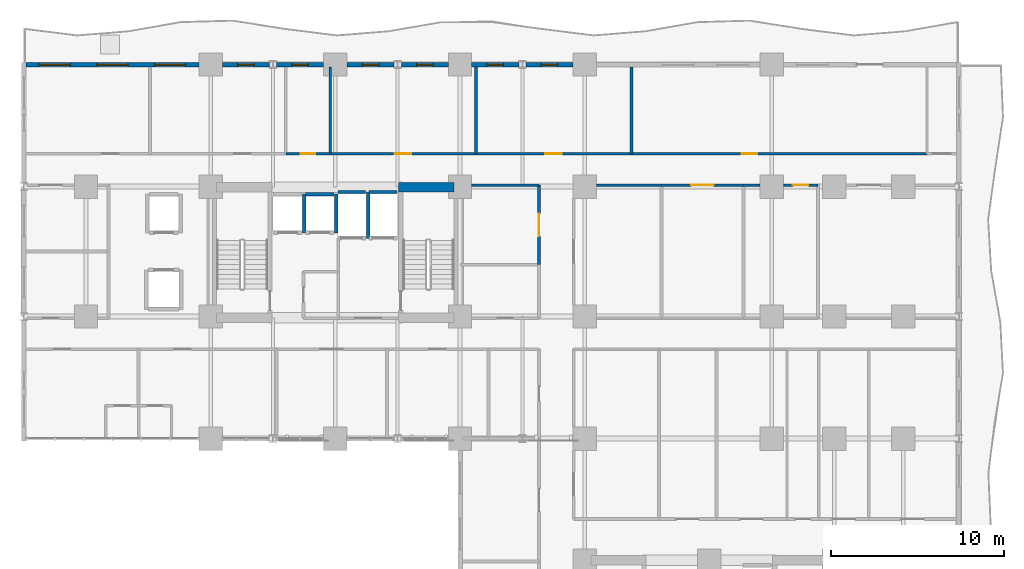
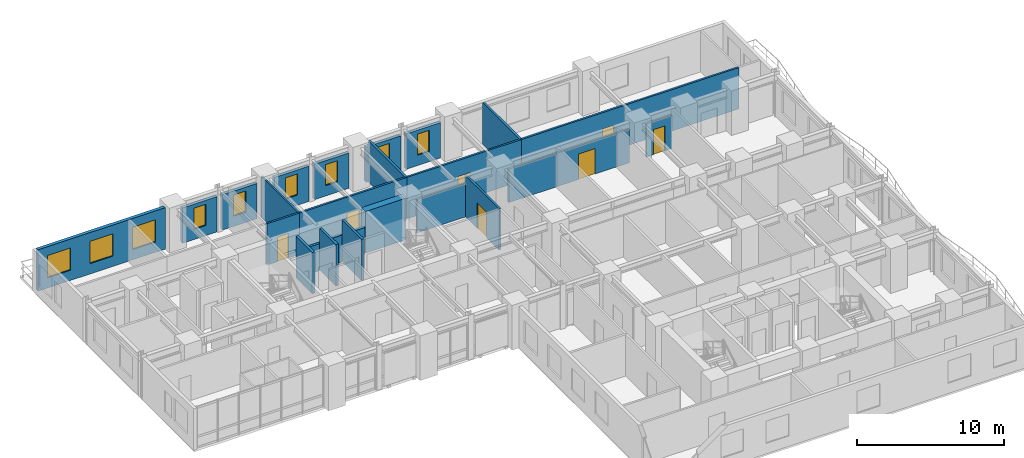
# One storey, part 12 of 16: 27 walls, 9 windows, 7 doors, 16 openings.
"""IFC4 building model written with IfcOpenShell, lengths in metres."""

from ifc_helpers import new_model, si_unit, direction, frame, frame_2d, origin, place, context, subcontext, project, spatial, rectangle, extrude, material, layer, layer_set, type_object, element, fill, save


model = new_model("IFC4")

# Units and contexts
model_context = context("Model", 3, precision=1e-05, world=origin(), true_north=direction((0.0, 1.0)))
body_context = subcontext(model_context, "Body", "Model", "MODEL_VIEW")
ifc_project = project(units=[si_unit("LENGTHUNIT", "METRE"), si_unit("AREAUNIT", "SQUARE_METRE"), si_unit("VOLUMEUNIT", "CUBIC_METRE"), si_unit("PLANEANGLEUNIT", "RADIAN"), si_unit("MASSUNIT", "GRAM", prefix="KILO")], contexts=[model_context])

# Site, building, storey
site_placement = place(None, origin())
site = spatial("IfcSite", under=ifc_project, at=site_placement, CompositionType="ELEMENT")
building_placement = place(site_placement, origin())
building = spatial("IfcBuilding", under=site, at=building_placement, Name="Kaliganga Portal Commons", CompositionType="ELEMENT")
storey_placement = place(building_placement, frame((0.0, 0.0, 29.0)))
storey = spatial("IfcBuildingStorey", under=building, at=storey_placement, Name="L06", CompositionType="ELEMENT", Elevation=29.0)

# Wall
ifc_material_1 = material(Name="Concrete C60/75", Category="concrete")
ifc_layer_1 = layer(ifc_material_1, 0.550048828125)
ifc_layer_set_1 = layer_set([ifc_layer_1], Name="Concrete C60/75")
wall_type_1 = type_object("IfcWallType", Name="WL-CORE-550", PredefinedType="SHEAR", material=ifc_layer_set_1)
wall_1_placement = place(storey_placement, frame((25.25, 36.125, 0.0), z_axis=(0.0, 0.0, 1.0), x_axis=(1.0, 0.0, 0.0)))
element("IfcWall", 1, at=wall_1_placement, inside=storey, type_object=wall_type_1, Name="Core A N-East Shear Wall L06", PredefinedType="SHEAR", context=body_context, shape_type="SweptSolid", body=[
    extrude(rectangle(XDim=3.199951171875, YDim=0.550048828125, at=frame_2d((1.60009765625, 0.0))), origin(), (0.0, 0.0, 1.0), 3.449951171875),
])

# Wall, opening, window
ifc_material_2 = material(Name="Insulated Aluminium-Clad Spandrel Assembly", Category="aluminium")
ifc_layer_2 = layer(ifc_material_2, 0.260009765625)
ifc_layer_set_2 = layer_set([ifc_layer_2], Name="Insulated Aluminium-Clad Spandrel Assembly")
wall_type_2 = type_object("IfcWallType", Name="WL-EXT-SPAND-260", PredefinedType="STANDARD", material=ifc_layer_set_2)
wall_2_placement = place(storey_placement, frame((32.60888671875, 43.199951171875, 0.0), z_axis=(0.0, 0.0, 1.0), x_axis=(1.0, 0.0, 0.0)))
wall_2 = element("IfcWall", 2, at=wall_2_placement, inside=storey, type_object=wall_type_2, Name="Exterior Envelope Wall L06 P1-E02-S3", PredefinedType="STANDARD", context=body_context, shape_type="SweptSolid", body=[
    extrude(rectangle(XDim=2.715087890625, YDim=0.260009765625, at=frame_2d((1.357421875, 0.0))), origin(), (0.0, 0.0, 1.0), 2.929931640625),
])
opening_1_placement = place(wall_2_placement, frame((0.882568359375, 0.0, 0.85009765625)))
opening_1 = element("IfcOpeningElement", 3, at=opening_1_placement, cuts=wall_2, Name="Opening W-04", PredefinedType="OPENING", context=body_context, shape_type="SweptSolid", body=[
    extrude(rectangle(XDim=0.949951171875, YDim=1.75, at=frame_2d((0.47509765625, 0.875))), frame((0.0, 0.14013671875, 0.0), z_axis=(0.0, -1.0, 0.0), x_axis=(1.0, 0.0, 0.0)), (0.0, 0.0, 1.0), 0.280029296875),
])
ifc_material_3 = material(Name="Thermally Broken Aluminium and Low-E Double Glazing", Category="aluminium")
window_type_1 = type_object("IfcWindowType", Name="WIN-NARROW-950", PartitioningType="SINGLE_PANEL", PredefinedType="WINDOW", material=ifc_material_3)
window_1_placement = place(opening_1_placement, origin())
window_1 = element("IfcWindow", 4, at=window_1_placement, inside=storey, type_object=window_type_1, Name="Facade Window L06-P1E02S3-00", OverallHeight=1.75, OverallWidth=0.949951171875, PartitioningType="SINGLE_PANEL", PredefinedType="WINDOW", context=body_context, shape_type="SweptSolid", body=[
    extrude(rectangle(XDim=0.949951171875, YDim=1.75, at=frame_2d((0.47509765625, 0.875))), frame((0.0, 0.030029296875, 0.0), z_axis=(0.0, -1.0, 0.0), x_axis=(1.0, 0.0, 0.0)), (0.0, 0.0, 1.0), 0.06005859375),
])
fill(opening_1, window_1)

wall_3_placement = place(storey_placement, frame((29.47607421875, 43.199951171875, 0.0), z_axis=(0.0, 0.0, 1.0), x_axis=(1.0, 0.0, 0.0)))
wall_3 = element("IfcWall", 5, at=wall_3_placement, inside=storey, type_object=wall_type_2, Name="Exterior Envelope Wall L06 P1-E02-S4", PredefinedType="STANDARD", context=body_context, shape_type="SweptSolid", body=[
    extrude(rectangle(XDim=2.71484375, YDim=0.260009765625, at=frame_2d((1.357421875, 0.0))), origin(), (0.0, 0.0, 1.0), 2.929931640625),
])
opening_2_placement = place(wall_3_placement, frame((0.882568359375, 0.0, 0.85009765625)))
opening_2 = element("IfcOpeningElement", 6, at=opening_2_placement, cuts=wall_3, Name="Opening W-04", PredefinedType="OPENING", context=body_context, shape_type="SweptSolid", body=[
    extrude(rectangle(XDim=0.949951171875, YDim=1.75, at=frame_2d((0.47509765625, 0.875))), frame((0.0, 0.14013671875, 0.0), z_axis=(0.0, -1.0, 0.0), x_axis=(1.0, 0.0, 0.0)), (0.0, 0.0, 1.0), 0.280029296875),
])
window_2_placement = place(opening_2_placement, origin())
window_2 = element("IfcWindow", 7, at=window_2_placement, inside=storey, type_object=window_type_1, Name="Facade Window L06-P1E02S4-00", OverallHeight=1.75, OverallWidth=0.949951171875, PartitioningType="SINGLE_PANEL", PredefinedType="WINDOW", context=body_context, shape_type="SweptSolid", body=[
    extrude(rectangle(XDim=0.949951171875, YDim=1.75, at=frame_2d((0.47509765625, 0.875))), frame((0.0, 0.030029296875, 0.0), z_axis=(0.0, -1.0, 0.0), x_axis=(1.0, 0.0, 0.0)), (0.0, 0.0, 1.0), 0.06005859375),
])
fill(opening_2, window_2)

wall_4_placement = place(storey_placement, frame((25.408935546875, 43.199951171875, 0.0), z_axis=(0.0, 0.0, 1.0), x_axis=(1.0, 0.0, 0.0)))
wall_4 = element("IfcWall", 8, at=wall_4_placement, inside=storey, type_object=wall_type_2, Name="Exterior Envelope Wall L06 P1-E02-S5", PredefinedType="STANDARD", context=body_context, shape_type="SweptSolid", body=[
    extrude(rectangle(XDim=2.715087890625, YDim=0.260009765625, at=frame_2d((1.357421875, 0.0))), origin(), (0.0, 0.0, 1.0), 2.929931640625),
])
opening_3_placement = place(wall_4_placement, frame((0.882568359375, 0.0, 0.85009765625)))
opening_3 = element("IfcOpeningElement", 9, at=opening_3_placement, cuts=wall_4, Name="Opening W-04", PredefinedType="OPENING", context=body_context, shape_type="SweptSolid", body=[
    extrude(rectangle(XDim=0.949951171875, YDim=1.75, at=frame_2d((0.47509765625, 0.875))), frame((0.0, 0.14013671875, 0.0), z_axis=(0.0, -1.0, 0.0), x_axis=(1.0, 0.0, 0.0)), (0.0, 0.0, 1.0), 0.280029296875),
])
window_3_placement = place(opening_3_placement, origin())
window_3 = element("IfcWindow", 10, at=window_3_placement, inside=storey, type_object=window_type_1, Name="Facade Window L06-P1E02S5-00", OverallHeight=1.75, OverallWidth=0.949951171875, PartitioningType="SINGLE_PANEL", PredefinedType="WINDOW", context=body_context, shape_type="SweptSolid", body=[
    extrude(rectangle(XDim=0.949951171875, YDim=1.75, at=frame_2d((0.47509765625, 0.875))), frame((0.0, 0.030029296875, 0.0), z_axis=(0.0, -1.0, 0.0), x_axis=(1.0, 0.0, 0.0)), (0.0, 0.0, 1.0), 0.06005859375),
])
fill(opening_3, window_3)

wall_5_placement = place(storey_placement, frame((22.27587890625, 43.199951171875, 0.0), z_axis=(0.0, 0.0, 1.0), x_axis=(1.0, 0.0, 0.0)))
wall_5 = element("IfcWall", 11, at=wall_5_placement, inside=storey, type_object=wall_type_2, Name="Exterior Envelope Wall L06 P1-E02-S6", PredefinedType="STANDARD", context=body_context, shape_type="SweptSolid", body=[
    extrude(rectangle(XDim=2.715087890625, YDim=0.260009765625, at=frame_2d((1.357421875, 0.0))), origin(), (0.0, 0.0, 1.0), 2.929931640625),
])
opening_4_placement = place(wall_5_placement, frame((0.882568359375, 0.0, 0.85009765625)))
opening_4 = element("IfcOpeningElement", 12, at=opening_4_placement, cuts=wall_5, Name="Opening W-04", PredefinedType="OPENING", context=body_context, shape_type="SweptSolid", body=[
    extrude(rectangle(XDim=0.949951171875, YDim=1.75, at=frame_2d((0.47509765625, 0.875))), frame((0.0, 0.14013671875, 0.0), z_axis=(0.0, -1.0, 0.0), x_axis=(1.0, 0.0, 0.0)), (0.0, 0.0, 1.0), 0.280029296875),
])
window_4_placement = place(opening_4_placement, origin())
window_4 = element("IfcWindow", 13, at=window_4_placement, inside=storey, type_object=window_type_1, Name="Facade Window L06-P1E02S6-00", OverallHeight=1.75, OverallWidth=0.949951171875, PartitioningType="SINGLE_PANEL", PredefinedType="WINDOW", context=body_context, shape_type="SweptSolid", body=[
    extrude(rectangle(XDim=0.949951171875, YDim=1.75, at=frame_2d((0.47509765625, 0.875))), frame((0.0, 0.030029296875, 0.0), z_axis=(0.0, -1.0, 0.0), x_axis=(1.0, 0.0, 0.0)), (0.0, 0.0, 1.0), 0.06005859375),
])
fill(opening_4, window_4)

wall_6_placement = place(storey_placement, frame((18.208984375, 43.199951171875, 0.0), z_axis=(0.0, 0.0, 1.0), x_axis=(1.0, 0.0, 0.0)))
wall_6 = element("IfcWall", 14, at=wall_6_placement, inside=storey, type_object=wall_type_2, Name="Exterior Envelope Wall L06 P1-E02-S7", PredefinedType="STANDARD", context=body_context, shape_type="SweptSolid", body=[
    extrude(rectangle(XDim=2.715087890625, YDim=0.260009765625, at=frame_2d((1.357421875, 0.0))), origin(), (0.0, 0.0, 1.0), 2.929931640625),
])
opening_5_placement = place(wall_6_placement, frame((0.882568359375, 0.0, 0.85009765625)))
opening_5 = element("IfcOpeningElement", 15, at=opening_5_placement, cuts=wall_6, Name="Opening W-04", PredefinedType="OPENING", context=body_context, shape_type="SweptSolid", body=[
    extrude(rectangle(XDim=0.949951171875, YDim=1.75, at=frame_2d((0.47509765625, 0.875))), frame((0.0, 0.14013671875, 0.0), z_axis=(0.0, -1.0, 0.0), x_axis=(1.0, 0.0, 0.0)), (0.0, 0.0, 1.0), 0.280029296875),
])
window_5_placement = place(opening_5_placement, origin())
window_5 = element("IfcWindow", 16, at=window_5_placement, inside=storey, type_object=window_type_1, Name="Facade Window L06-P1E02S7-00", OverallHeight=1.75, OverallWidth=0.949951171875, PartitioningType="SINGLE_PANEL", PredefinedType="WINDOW", context=body_context, shape_type="SweptSolid", body=[
    extrude(rectangle(XDim=0.949951171875, YDim=1.75, at=frame_2d((0.47509765625, 0.875))), frame((0.0, 0.030029296875, 0.0), z_axis=(0.0, -1.0, 0.0), x_axis=(1.0, 0.0, 0.0)), (0.0, 0.0, 1.0), 0.06005859375),
])
fill(opening_5, window_5)

wall_7_placement = place(storey_placement, frame((15.075927734375, 43.199951171875, 0.0), z_axis=(0.0, 0.0, 1.0), x_axis=(1.0, 0.0, 0.0)))
wall_7 = element("IfcWall", 17, at=wall_7_placement, inside=storey, type_object=wall_type_2, Name="Exterior Envelope Wall L06 P1-E02-S8", PredefinedType="STANDARD", context=body_context, shape_type="SweptSolid", body=[
    extrude(rectangle(XDim=2.715087890625, YDim=0.260009765625, at=frame_2d((1.357421875, 0.0))), origin(), (0.0, 0.0, 1.0), 2.929931640625),
])
opening_6_placement = place(wall_7_placement, frame((0.882568359375, 0.0, 0.85009765625)))
opening_6 = element("IfcOpeningElement", 18, at=opening_6_placement, cuts=wall_7, Name="Opening W-04", PredefinedType="OPENING", context=body_context, shape_type="SweptSolid", body=[
    extrude(rectangle(XDim=0.949951171875, YDim=1.75, at=frame_2d((0.47509765625, 0.875))), frame((0.0, 0.14013671875, 0.0), z_axis=(0.0, -1.0, 0.0), x_axis=(1.0, 0.0, 0.0)), (0.0, 0.0, 1.0), 0.280029296875),
])
window_6_placement = place(opening_6_placement, origin())
window_6 = element("IfcWindow", 19, at=window_6_placement, inside=storey, type_object=window_type_1, Name="Facade Window L06-P1E02S8-00", OverallHeight=1.75, OverallWidth=0.949951171875, PartitioningType="SINGLE_PANEL", PredefinedType="WINDOW", context=body_context, shape_type="SweptSolid", body=[
    extrude(rectangle(XDim=0.949951171875, YDim=1.75, at=frame_2d((0.47509765625, 0.875))), frame((0.0, 0.030029296875, 0.0), z_axis=(0.0, -1.0, 0.0), x_axis=(1.0, 0.0, 0.0)), (0.0, 0.0, 1.0), 0.06005859375),
])
fill(opening_6, window_6)

# Wall, openings, windows
wall_8_placement = place(storey_placement, frame((3.735107421875, 43.199951171875, 0.0), z_axis=(0.0, 0.0, 1.0), x_axis=(1.0, 0.0, 0.0)))
wall_8 = element("IfcWall", 20, at=wall_8_placement, inside=storey, type_object=wall_type_2, Name="Exterior Envelope Wall L06 P1-E02-S9", PredefinedType="STANDARD", context=body_context, shape_type="SweptSolid", body=[
    extrude(rectangle(XDim=9.989013671875, YDim=0.260009765625, at=frame_2d((4.99462890625, 0.0))), origin(), (0.0, 0.0, 1.0), 3.429931640625),
])
opening_7_placement = place(wall_8_placement, frame((0.764892578125, 0.0, 0.85009765625)))
opening_7 = element("IfcOpeningElement", 21, at=opening_7_placement, cuts=wall_8, Name="Opening W-01", PredefinedType="OPENING", context=body_context, shape_type="SweptSolid", body=[
    extrude(rectangle(XDim=1.800048828125, YDim=1.85009765625, at=frame_2d((0.89990234375, 0.925048828125))), frame((0.0, 0.14013671875, 0.0), z_axis=(0.0, -1.0, 0.0), x_axis=(1.0, 0.0, 0.0)), (0.0, 0.0, 1.0), 0.280029296875),
])
opening_8_placement = place(wall_8_placement, frame((4.094482421875, 0.0, 0.85009765625)))
opening_8 = element("IfcOpeningElement", 22, at=opening_8_placement, cuts=wall_8, Name="Opening W-01", PredefinedType="OPENING", context=body_context, shape_type="SweptSolid", body=[
    extrude(rectangle(XDim=1.800048828125, YDim=1.85009765625, at=frame_2d((0.89990234375, 0.925048828125))), frame((0.0, 0.14013671875, 0.0), z_axis=(0.0, -1.0, 0.0), x_axis=(1.0, 0.0, 0.0)), (0.0, 0.0, 1.0), 0.280029296875),
])
opening_9_placement = place(wall_8_placement, frame((7.42431640625, 0.0, 0.85009765625)))
opening_9 = element("IfcOpeningElement", 23, at=opening_9_placement, cuts=wall_8, Name="Opening W-01", PredefinedType="OPENING", context=body_context, shape_type="SweptSolid", body=[
    extrude(rectangle(XDim=1.800048828125, YDim=1.85009765625, at=frame_2d((0.89990234375, 0.925048828125))), frame((0.0, 0.14013671875, 0.0), z_axis=(0.0, -1.0, 0.0), x_axis=(1.0, 0.0, 0.0)), (0.0, 0.0, 1.0), 0.280029296875),
])
window_type_2 = type_object("IfcWindowType", Name="WIN-STD-1800", PartitioningType="DOUBLE_PANEL_VERTICAL", PredefinedType="WINDOW", material=ifc_material_3)
window_7_placement = place(opening_7_placement, origin())
window_7 = element("IfcWindow", 24, at=window_7_placement, inside=storey, type_object=window_type_2, Name="Facade Window L06-P1E02S9-00", OverallHeight=1.85009765625, OverallWidth=1.800048828125, PartitioningType="SINGLE_PANEL", PredefinedType="WINDOW", context=body_context, shape_type="SweptSolid", body=[
    extrude(rectangle(XDim=1.800048828125, YDim=1.85009765625, at=frame_2d((0.89990234375, 0.925048828125))), frame((0.0, 0.030029296875, 0.0), z_axis=(0.0, -1.0, 0.0), x_axis=(1.0, 0.0, 0.0)), (0.0, 0.0, 1.0), 0.06005859375),
])
fill(opening_7, window_7)
window_8_placement = place(opening_8_placement, origin())
window_8 = element("IfcWindow", 25, at=window_8_placement, inside=storey, type_object=window_type_2, Name="Facade Window L06-P1E02S9-01", OverallHeight=1.85009765625, OverallWidth=1.800048828125, PartitioningType="SINGLE_PANEL", PredefinedType="WINDOW", context=body_context, shape_type="SweptSolid", body=[
    extrude(rectangle(XDim=1.800048828125, YDim=1.85009765625, at=frame_2d((0.89990234375, 0.925048828125))), frame((0.0, 0.030029296875, 0.0), z_axis=(0.0, -1.0, 0.0), x_axis=(1.0, 0.0, 0.0)), (0.0, 0.0, 1.0), 0.06005859375),
])
fill(opening_8, window_8)
window_9_placement = place(opening_9_placement, origin())
window_9 = element("IfcWindow", 26, at=window_9_placement, inside=storey, type_object=window_type_2, Name="Facade Window L06-P1E02S9-02", OverallHeight=1.85009765625, OverallWidth=1.800048828125, PartitioningType="SINGLE_PANEL", PredefinedType="WINDOW", context=body_context, shape_type="SweptSolid", body=[
    extrude(rectangle(XDim=1.800048828125, YDim=1.85009765625, at=frame_2d((0.89990234375, 0.925048828125))), frame((0.0, 0.030029296875, 0.0), z_axis=(0.0, -1.0, 0.0), x_axis=(1.0, 0.0, 0.0)), (0.0, 0.0, 1.0), 0.06005859375),
])
fill(opening_9, window_9)

# Wall, opening, door
ifc_material_4 = material(Name="Fire-Rated Gypsum Board on Steel Stud", Category="steel")
ifc_layer_3 = layer(ifc_material_4, 0.14990234375)
ifc_layer_set_3 = layer_set([ifc_layer_3], Name="Fire-Rated Gypsum Board on Steel Stud")
wall_type_3 = type_object("IfcWallType", Name="WL-PART-CORR-150", PredefinedType="PARTITIONING", material=ifc_layer_set_3)
wall_9_placement = place(storey_placement, frame((38.699951171875, 38.0400390625, 0.0), z_axis=(0.0, 0.0, 1.0), x_axis=(1.0, 0.0, 0.0)))
wall_9 = element("IfcWall", 27, at=wall_9_placement, inside=storey, type_object=wall_type_3, Name="Interior Partition L06-006", PredefinedType="PARTITIONING", context=body_context, shape_type="SweptSolid", body=[
    extrude(rectangle(XDim=17.06005859375, YDim=0.14990234375, at=frame_2d((8.530029296875, 0.0))), origin(), (0.0, 0.0, 1.0), 3.429931640625),
])
opening_10_placement = place(wall_9_placement, frame((6.3740234375, 0.0, 0.0)))
opening_10 = element("IfcOpeningElement", 28, at=opening_10_placement, cuts=wall_9, Name="Opening RD-01", PredefinedType="OPENING", context=body_context, shape_type="SweptSolid", body=[
    extrude(rectangle(XDim=0.89990234375, YDim=2.080078125, at=frame_2d((0.449951171875, 1.0400390625))), frame((0.0, 0.0849609375, 0.0), z_axis=(0.0, -1.0, 0.0), x_axis=(1.0, 0.0, 0.0)), (0.0, 0.0, 1.0), 0.169921875),
])
ifc_material_5 = material(Name="Engineered Timber Flush Door", Category="wood")
door_type_1 = type_object("IfcDoorType", Name="DR-ROOM-900", OperationType="NOTDEFINED", PredefinedType="DOOR", material=ifc_material_5)
door_1_placement = place(opening_10_placement, origin())
door_1 = element("IfcDoor", 29, at=door_1_placement, inside=storey, type_object=door_type_1, Name="Interior Door L06-AN06", OperationType="SINGLE_SWING_RIGHT", OverallHeight=2.080078125, OverallWidth=0.89990234375, PredefinedType="DOOR", context=body_context, shape_type="SweptSolid", body=[
    extrude(rectangle(XDim=0.89990234375, YDim=2.080078125, at=frame_2d((0.449951171875, 1.0400390625))), frame((0.0, 0.02490234375, 0.0), z_axis=(0.0, -1.0, 0.0), x_axis=(1.0, 0.0, 0.0)), (0.0, 0.0, 1.0), 0.050048828125),
])
fill(opening_10, door_1)

wall_10_placement = place(storey_placement, frame((29.719970703125, 38.0400390625, 0.0), z_axis=(0.0, 0.0, 1.0), x_axis=(1.0, 0.0, 0.0)))
wall_10 = element("IfcWall", 30, at=wall_10_placement, inside=storey, type_object=wall_type_3, Name="Interior Partition L06-010", PredefinedType="PARTITIONING", context=body_context, shape_type="SweptSolid", body=[
    extrude(rectangle(XDim=8.97998046875, YDim=0.14990234375, at=frame_2d((4.489990234375, 0.0))), origin(), (0.0, 0.0, 1.0), 3.429931640625),
])
opening_11_placement = place(wall_10_placement, frame((4.014892578125, 0.0, 0.0)))
opening_11 = element("IfcOpeningElement", 31, at=opening_11_placement, cuts=wall_10, Name="Opening UD-01", PredefinedType="OPENING", context=body_context, shape_type="SweptSolid", body=[
    extrude(rectangle(XDim=0.949951171875, YDim=2.10009765625, at=frame_2d((0.47509765625, 1.050048828125))), frame((0.0, 0.0849609375, 0.0), z_axis=(0.0, -1.0, 0.0), x_axis=(1.0, 0.0, 0.0)), (0.0, 0.0, 1.0), 0.169921875),
])
ifc_material_6 = material(Name="Solid-Core Timber Acoustic Fire Door", Category="wood")
door_type_2 = type_object("IfcDoorType", Name="DR-UNIT-950", OperationType="NOTDEFINED", PredefinedType="DOOR", material=ifc_material_6)
door_2_placement = place(opening_11_placement, origin())
door_2 = element("IfcDoor", 32, at=door_2_placement, inside=storey, type_object=door_type_2, Name="Interior Door L06-AN05", OperationType="SINGLE_SWING_LEFT", OverallHeight=2.10009765625, OverallWidth=0.949951171875, PredefinedType="DOOR", context=body_context, shape_type="SweptSolid", body=[
    extrude(rectangle(XDim=0.949951171875, YDim=2.10009765625, at=frame_2d((0.47509765625, 1.050048828125))), frame((0.0, 0.02490234375, 0.0), z_axis=(0.0, -1.0, 0.0), x_axis=(1.0, 0.0, 0.0)), (0.0, 0.0, 1.0), 0.050048828125),
])
fill(opening_11, door_2)

wall_11_placement = place(storey_placement, frame((21.300048828125, 38.0400390625, 0.0), z_axis=(0.0, 0.0, 1.0), x_axis=(1.0, 0.0, 0.0)))
wall_11 = element("IfcWall", 33, at=wall_11_placement, inside=storey, type_object=wall_type_3, Name="Interior Partition L06-012", PredefinedType="PARTITIONING", context=body_context, shape_type="SweptSolid", body=[
    extrude(rectangle(XDim=8.419921875, YDim=0.14990234375, at=frame_2d((4.2099609375, 0.0))), origin(), (0.0, 0.0, 1.0), 3.429931640625),
])
opening_12_placement = place(wall_11_placement, frame((3.735107421875, 0.0, 0.0)))
opening_12 = element("IfcOpeningElement", 34, at=opening_12_placement, cuts=wall_11, Name="Opening UD-01", PredefinedType="OPENING", context=body_context, shape_type="SweptSolid", body=[
    extrude(rectangle(XDim=0.949951171875, YDim=2.10009765625, at=frame_2d((0.47509765625, 1.050048828125))), frame((0.0, 0.0849609375, 0.0), z_axis=(0.0, -1.0, 0.0), x_axis=(1.0, 0.0, 0.0)), (0.0, 0.0, 1.0), 0.169921875),
])
door_3_placement = place(opening_12_placement, origin())
door_3 = element("IfcDoor", 35, at=door_3_placement, inside=storey, type_object=door_type_2, Name="Interior Door L06-AN04", OperationType="SINGLE_SWING_LEFT", OverallHeight=2.10009765625, OverallWidth=0.949951171875, PredefinedType="DOOR", context=body_context, shape_type="SweptSolid", body=[
    extrude(rectangle(XDim=0.949951171875, YDim=2.10009765625, at=frame_2d((0.47509765625, 1.050048828125))), frame((0.0, 0.02490234375, 0.0), z_axis=(0.0, -1.0, 0.0), x_axis=(1.0, 0.0, 0.0)), (0.0, 0.0, 1.0), 0.050048828125),
])
fill(opening_12, door_3)

# Wall
wall_12_placement = place(storey_placement, frame((36.675048828125, 36.239990234375, 0.0), z_axis=(0.0, 0.0, 1.0), x_axis=(1.0, 0.0, 0.0)))
element("IfcWall", 36, at=wall_12_placement, inside=storey, type_object=wall_type_3, Name="Interior Partition L06-031", PredefinedType="PARTITIONING", context=body_context, shape_type="SweptSolid", body=[
    extrude(rectangle(XDim=3.764892578125, YDim=0.14990234375, at=frame_2d((1.88232421875, 0.0))), origin(), (0.0, 0.0, 1.0), 2.780029296875),
])

# Wall, opening, door
wall_13_placement = place(storey_placement, frame((40.43994140625, 36.239990234375, 0.0), z_axis=(0.0, 0.0, 1.0), x_axis=(1.0, 0.0, 0.0)))
wall_13 = element("IfcWall", 37, at=wall_13_placement, inside=storey, type_object=wall_type_3, Name="Interior Partition L06-037", PredefinedType="PARTITIONING", context=body_context, shape_type="SweptSolid", body=[
    extrude(rectangle(XDim=4.719970703125, YDim=0.14990234375, at=frame_2d((2.35986328125, 0.0))), origin(), (0.0, 0.0, 1.0), 2.780029296875),
])
opening_13_placement = place(wall_13_placement, frame((1.7099609375, 0.0, 0.0)))
opening_13 = element("IfcOpeningElement", 38, at=opening_13_placement, cuts=wall_13, Name="Opening RD-03", PredefinedType="OPENING", context=body_context, shape_type="SweptSolid", body=[
    extrude(rectangle(XDim=1.300048828125, YDim=2.1201171875, at=frame_2d((0.64990234375, 1.06005859375))), frame((0.0, 0.0849609375, 0.0), z_axis=(0.0, -1.0, 0.0), x_axis=(1.0, 0.0, 0.0)), (0.0, 0.0, 1.0), 0.169921875),
])
ifc_material_7 = material(Name="Glazed Timber Seminar Vision Door", Category="wood")
door_type_3 = type_object("IfcDoorType", Name="DR-STUDY-1300", OperationType="DOUBLE_DOOR_SINGLE_SWING", PredefinedType="DOOR", material=ifc_material_7)
door_4_placement = place(opening_13_placement, origin())
door_4 = element("IfcDoor", 39, at=door_4_placement, inside=storey, type_object=door_type_3, Name="Interior Door L06-BK02", OperationType="DOUBLE_DOOR_SINGLE_SWING", OverallHeight=2.1201171875, OverallWidth=1.300048828125, PredefinedType="DOOR", context=body_context, shape_type="SweptSolid", body=[
    extrude(rectangle(XDim=1.300048828125, YDim=2.1201171875, at=frame_2d((0.64990234375, 1.06005859375))), frame((0.0, 0.02490234375, 0.0), z_axis=(0.0, -1.0, 0.0), x_axis=(1.0, 0.0, 0.0)), (0.0, 0.0, 1.0), 0.050048828125),
])
fill(opening_13, door_4)

wall_14_placement = place(storey_placement, frame((33.360107421875, 31.639892578125, 0.0), z_axis=(0.0, 0.0, 1.0), x_axis=(0.0, 1.0, 0.0)))
wall_14 = element("IfcWall", 40, at=wall_14_placement, inside=storey, type_object=wall_type_3, Name="Interior Partition L06-038", PredefinedType="PARTITIONING", context=body_context, shape_type="SweptSolid", body=[
    extrude(rectangle(XDim=4.60009765625, YDim=0.14990234375, at=frame_2d((2.300048828125, 0.0))), origin(), (0.0, 0.0, 1.0), 3.429931640625),
])
opening_14_placement = place(wall_14_placement, frame((1.64990234375, 0.0, 0.0)))
opening_14 = element("IfcOpeningElement", 41, at=opening_14_placement, cuts=wall_14, Name="Opening RD-03", PredefinedType="OPENING", context=body_context, shape_type="SweptSolid", body=[
    extrude(rectangle(XDim=1.300048828125, YDim=2.1201171875, at=frame_2d((0.64990234375, 1.06005859375))), frame((0.0, 0.0849609375, 0.0), z_axis=(0.0, -1.0, 0.0), x_axis=(1.0, 0.0, 0.0)), (0.0, 0.0, 1.0), 0.169921875),
])
door_5_placement = place(opening_14_placement, origin())
door_5 = element("IfcDoor", 42, at=door_5_placement, inside=storey, type_object=door_type_3, Name="Interior Door L06-CSRV_A2", OperationType="DOUBLE_DOOR_SINGLE_SWING", OverallHeight=2.1201171875, OverallWidth=1.300048828125, PredefinedType="DOOR", context=body_context, shape_type="SweptSolid", body=[
    extrude(rectangle(XDim=1.300048828125, YDim=2.1201171875, at=frame_2d((0.64990234375, 1.06005859375))), frame((0.0, 0.02490234375, 0.0), z_axis=(0.0, -1.0, 0.0), x_axis=(1.0, 0.0, 0.0)), (0.0, 0.0, 1.0), 0.050048828125),
])
fill(opening_14, door_5)

# Walls
wall_15_placement = place(storey_placement, frame((29.47509765625, 36.239990234375, 0.0), z_axis=(0.0, 0.0, 1.0), x_axis=(1.0, 0.0, 0.0)))
element("IfcWall", 43, at=wall_15_placement, inside=storey, type_object=wall_type_3, Name="Interior Partition L06-041", PredefinedType="PARTITIONING", context=body_context, shape_type="SweptSolid", body=[
    extrude(rectangle(XDim=3.885009765625, YDim=0.14990234375, at=frame_2d((1.9423828125, 0.0))), origin(), (0.0, 0.0, 1.0), 2.780029296875),
])
wall_16_placement = place(storey_placement, frame((45.159912109375, 36.239990234375, 0.0), z_axis=(0.0, 0.0, 1.0), x_axis=(1.0, 0.0, 0.0)))
element("IfcWall", 44, at=wall_16_placement, inside=storey, type_object=wall_type_3, Name="Interior Partition L06-042", PredefinedType="PARTITIONING", context=body_context, shape_type="SweptSolid", body=[
    extrude(rectangle(XDim=0.965087890625, YDim=0.14990234375, at=frame_2d((0.482421875, 0.0))), origin(), (0.0, 0.0, 1.0), 2.780029296875),
])

# Wall, opening, door
wall_17_placement = place(storey_placement, frame((47.47509765625, 36.239990234375, 0.0), z_axis=(0.0, 0.0, 1.0), x_axis=(1.0, 0.0, 0.0)))
wall_17 = element("IfcWall", 45, at=wall_17_placement, inside=storey, type_object=wall_type_3, Name="Interior Partition L06-043", PredefinedType="PARTITIONING", context=body_context, shape_type="SweptSolid", body=[
    extrude(rectangle(XDim=1.98486328125, YDim=0.14990234375, at=frame_2d((0.992431640625, 0.0))), origin(), (0.0, 0.0, 1.0), 2.780029296875),
])
opening_15_placement = place(wall_17_placement, frame((0.54248046875, 0.0, 0.0)))
opening_15 = element("IfcOpeningElement", 46, at=opening_15_placement, cuts=wall_17, Name="Opening RD-01", PredefinedType="OPENING", context=body_context, shape_type="SweptSolid", body=[
    extrude(rectangle(XDim=0.89990234375, YDim=2.080078125, at=frame_2d((0.449951171875, 1.0400390625))), frame((0.0, 0.0849609375, 0.0), z_axis=(0.0, -1.0, 0.0), x_axis=(1.0, 0.0, 0.0)), (0.0, 0.0, 1.0), 0.169921875),
])
door_6_placement = place(opening_15_placement, origin())
door_6 = element("IfcDoor", 47, at=door_6_placement, inside=storey, type_object=door_type_1, Name="Interior Door L06-BK03", OperationType="SINGLE_SWING_RIGHT", OverallHeight=2.080078125, OverallWidth=0.89990234375, PredefinedType="DOOR", context=body_context, shape_type="SweptSolid", body=[
    extrude(rectangle(XDim=0.89990234375, YDim=2.080078125, at=frame_2d((0.449951171875, 1.0400390625))), frame((0.0, 0.02490234375, 0.0), z_axis=(0.0, -1.0, 0.0), x_axis=(1.0, 0.0, 0.0)), (0.0, 0.0, 1.0), 0.050048828125),
])
fill(opening_15, door_6)

wall_18_placement = place(storey_placement, frame((18.739990234375, 38.0400390625, 0.0), z_axis=(0.0, 0.0, 1.0), x_axis=(1.0, 0.0, 0.0)))
wall_18 = element("IfcWall", 48, at=wall_18_placement, inside=storey, type_object=wall_type_3, Name="Interior Partition L06-053", PredefinedType="PARTITIONING", context=body_context, shape_type="SweptSolid", body=[
    extrude(rectangle(XDim=2.56005859375, YDim=0.14990234375, at=frame_2d((1.280029296875, 0.0))), origin(), (0.0, 0.0, 1.0), 3.429931640625),
])
opening_16_placement = place(wall_18_placement, frame((0.85498046875, 0.0, 0.0)))
opening_16 = element("IfcOpeningElement", 49, at=opening_16_placement, cuts=wall_18, Name="Opening WD-01", PredefinedType="OPENING", context=body_context, shape_type="SweptSolid", body=[
    extrude(rectangle(XDim=0.85009765625, YDim=2.0400390625, at=frame_2d((0.425048828125, 1.02001953125))), frame((0.0, 0.0849609375, 0.0), z_axis=(0.0, -1.0, 0.0), x_axis=(1.0, 0.0, 0.0)), (0.0, 0.0, 1.0), 0.169921875),
])
ifc_material_8 = material(Name="Moisture-Resistant Laminate Timber Door", Category="wood")
door_type_4 = type_object("IfcDoorType", Name="DR-WET-850", OperationType="NOTDEFINED", PredefinedType="DOOR", material=ifc_material_8)
door_7_placement = place(opening_16_placement, origin())
door_7 = element("IfcDoor", 50, at=door_7_placement, inside=storey, type_object=door_type_4, Name="Interior Door L06-AN03", OperationType="SINGLE_SWING_LEFT", OverallHeight=2.0400390625, OverallWidth=0.85009765625, PredefinedType="DOOR", context=body_context, shape_type="SweptSolid", body=[
    extrude(rectangle(XDim=0.85009765625, YDim=2.0400390625, at=frame_2d((0.425048828125, 1.02001953125))), frame((0.0, 0.02490234375, 0.0), z_axis=(0.0, -1.0, 0.0), x_axis=(1.0, 0.0, 0.0)), (0.0, 0.0, 1.0), 0.050048828125),
])
fill(opening_16, door_7)

# Walls
ifc_material_9 = material(Name="Twin-Stud Acoustic Gypsum Partition", Category="gypsum")
ifc_layer_4 = layer(ifc_material_9, 0.1650390625)
ifc_layer_set_4 = layer_set([ifc_layer_4], Name="Twin-Stud Acoustic Gypsum Partition")
wall_type_4 = type_object("IfcWallType", Name="WL-PART-UNIT-165", PredefinedType="PARTITIONING", material=ifc_layer_set_4)
for number, where, z_axis, x_axis, name in (
    (51, (29.719970703125, 38.0400390625, 0.0), (0.0, 0.0, 1.0), (0.0, 1.0, 0.0), "Interior Partition L06-072"),
    (52, (38.699951171875, 38.0400390625, 0.0), (0.0, 0.0, 1.0), (0.0, 1.0, 0.0), "Interior Partition L06-073"),
):
    element("IfcWall", number, at=place(storey_placement, frame(where, z_axis=z_axis, x_axis=x_axis)), inside=storey, type_object=wall_type_4, Name=name, PredefinedType="PARTITIONING", context=body_context, shape_type="SweptSolid", body=[
        extrude(rectangle(XDim=5.028076171875, YDim=0.1650390625, at=frame_2d((2.51416015625, 0.0))), origin(), (0.0, 0.0, 1.0), 3.429931640625),
    ])
ifc_material_10 = material(Name="Cement-Board Wet-Room Partition", Category="gypsum")
ifc_layer_5 = layer(ifc_material_10, 0.135009765625)
ifc_layer_set_5 = layer_set([ifc_layer_5], Name="Cement-Board Wet-Room Partition")
wall_type_5 = type_object("IfcWallType", Name="WL-PART-WET-135", PredefinedType="PARTITIONING", material=ifc_layer_set_5)
wall_19_placement = place(storey_placement, frame((21.300048828125, 38.0400390625, 0.0), z_axis=(0.0, 0.0, 1.0), x_axis=(0.0, 1.0, 0.0)))
element("IfcWall", 53, at=wall_19_placement, inside=storey, type_object=wall_type_5, Name="Interior Partition L06-071", PredefinedType="PARTITIONING", context=body_context, shape_type="SweptSolid", body=[
    extrude(rectangle(XDim=5.028076171875, YDim=0.135009765625, at=frame_2d((2.51416015625, 0.0))), origin(), (0.0, 0.0, 1.0), 3.429931640625),
])
ifc_material_11 = material(Name="Fire-Rated Shaftwall Masonry Assembly", Category="masonry")
ifc_layer_6 = layer(ifc_material_11, 0.199951171875)
ifc_layer_set_6 = layer_set([ifc_layer_6], Name="Fire-Rated Shaftwall Masonry Assembly")
wall_type_6 = type_object("IfcWallType", Name="WL-SHAFT-200", PredefinedType="PARTITIONING", material=ifc_layer_set_6)
wall_20_placement = place(storey_placement, frame((19.81494140625, 33.485107421875, 0.0), z_axis=(0.0, 0.0, 1.0), x_axis=(0.0, 1.0, 0.0)))
element("IfcWall", 54, at=wall_20_placement, inside=storey, type_object=wall_type_6, Name="Lift PL-A1 Hoistway Shaft Wall L06-E", PredefinedType="PARTITIONING", context=body_context, shape_type="SweptSolid", body=[
    extrude(rectangle(XDim=2.22998046875, YDim=0.199951171875, at=frame_2d((1.114990234375, 0.0))), origin(), (0.0, 0.0, 1.0), 3.429931640625),
])
wall_21_placement = place(storey_placement, frame((19.875, 35.715087890625, 0.0), z_axis=(0.0, 0.0, 1.0), x_axis=(1.0, 0.0, 0.0)))
element("IfcWall", 55, at=wall_21_placement, inside=storey, type_object=wall_type_6, Name="Lift PL-A2 Hoistway Shaft Wall L06-N", PredefinedType="PARTITIONING", context=body_context, shape_type="SweptSolid", body=[
    extrude(rectangle(XDim=1.64990234375, YDim=0.199951171875, at=frame_2d((0.824951171875, 0.0))), origin(), (0.0, 0.0, 1.0), 2.22998046875),
])
wall_22_placement = place(storey_placement, frame((21.6650390625, 33.485107421875, 0.0), z_axis=(0.0, 0.0, 1.0), x_axis=(0.0, 1.0, 0.0)))
element("IfcWall", 56, at=wall_22_placement, inside=storey, type_object=wall_type_6, Name="Lift PL-A2 Hoistway Shaft Wall L06-E", PredefinedType="PARTITIONING", context=body_context, shape_type="SweptSolid", body=[
    extrude(rectangle(XDim=2.22998046875, YDim=0.199951171875, at=frame_2d((1.114990234375, 0.0))), origin(), (0.0, 0.0, 1.0), 3.429931640625),
])
wall_23_placement = place(storey_placement, frame((21.75, 35.840087890625, 0.0), z_axis=(0.0, 0.0, 1.0), x_axis=(1.0, 0.0, 0.0)))
element("IfcWall", 57, at=wall_23_placement, inside=storey, type_object=wall_type_6, Name="Lift FFL-1 Hoistway Shaft Wall L06-N", PredefinedType="PARTITIONING", context=body_context, shape_type="SweptSolid", body=[
    extrude(rectangle(XDim=1.60009765625, YDim=0.199951171875, at=frame_2d((0.800048828125, 0.0))), origin(), (0.0, 0.0, 1.0), 2.22998046875),
])
wall_24_placement = place(storey_placement, frame((23.489990234375, 33.159912109375, 0.0), z_axis=(0.0, 0.0, 1.0), x_axis=(0.0, 1.0, 0.0)))
element("IfcWall", 58, at=wall_24_placement, inside=storey, type_object=wall_type_6, Name="Lift FFL-1 Hoistway Shaft Wall L06-E", PredefinedType="PARTITIONING", context=body_context, shape_type="SweptSolid", body=[
    extrude(rectangle(XDim=2.68017578125, YDim=0.199951171875, at=frame_2d((1.340087890625, 0.0))), origin(), (0.0, 0.0, 1.0), 3.429931640625),
])
wall_25_placement = place(storey_placement, frame((23.550048828125, 35.840087890625, 0.0), z_axis=(0.0, 0.0, 1.0), x_axis=(1.0, 0.0, 0.0)))
element("IfcWall", 59, at=wall_25_placement, inside=storey, type_object=wall_type_6, Name="Lift FFL-2 Hoistway Shaft Wall L06-N", PredefinedType="PARTITIONING", context=body_context, shape_type="SweptSolid", body=[
    extrude(rectangle(XDim=1.599853515625, YDim=0.199951171875, at=frame_2d((0.7998046875, 0.0))), origin(), (0.0, 0.0, 1.0), 2.22998046875),
])

save(model, "model.ifc")
